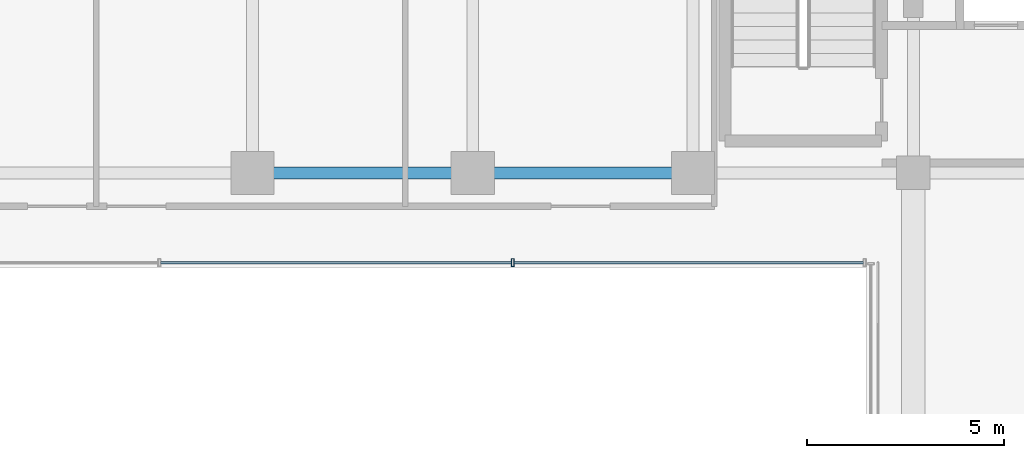
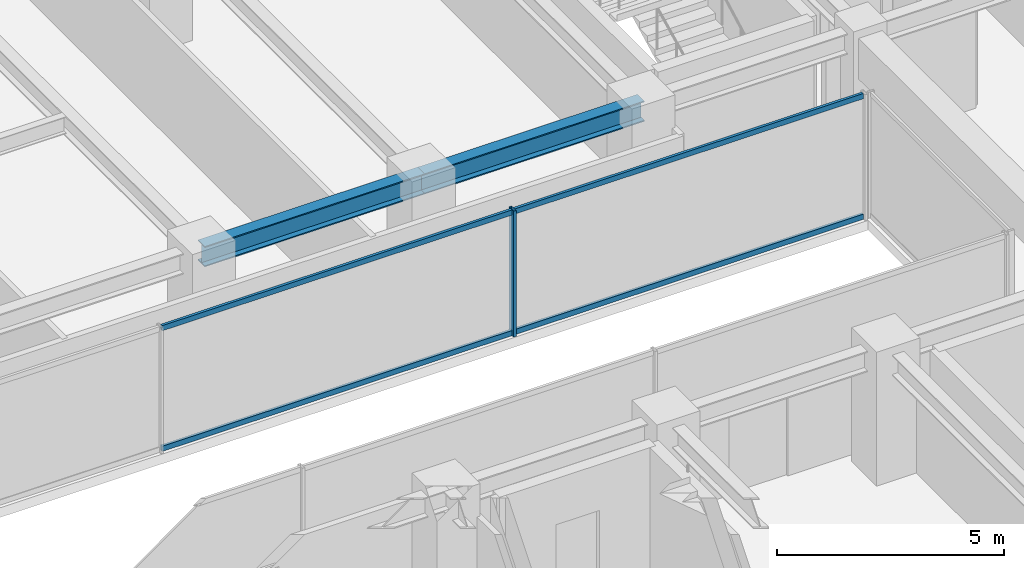
# One storey, part 12 of 41: 5 members, 2 beams, 1 element without a shape of its own.
"""IFC4 building model written with IfcOpenShell, lengths in metres."""

from ifc_helpers import new_model, si_unit, direction, frame, origin, origin_2d, place, context, subcontext, project, spatial, hollow_rectangle, i_section, extrude, source, transform, mapped, material, material_profile, profile_set, type_object, element, aggregate, save


model = new_model("IFC4")

# Units and contexts
model_context = context("Model", 3, precision=1e-05, world=origin(), true_north=direction((0.0, 1.0)))
body_context = subcontext(model_context, "Body", "Model", "MODEL_VIEW")
ifc_project = project(units=[si_unit("LENGTHUNIT", "METRE"), si_unit("AREAUNIT", "SQUARE_METRE"), si_unit("VOLUMEUNIT", "CUBIC_METRE"), si_unit("PLANEANGLEUNIT", "RADIAN"), si_unit("MASSUNIT", "GRAM", prefix="KILO")], contexts=[model_context])

# Site, building, storey
site_placement = place(None, origin())
site = spatial("IfcSite", under=ifc_project, at=site_placement, CompositionType="ELEMENT")
building_placement = place(site_placement, origin())
building = spatial("IfcBuilding", under=site, at=building_placement, Name="Nahalor Promenade Grand Hotel", CompositionType="ELEMENT")
storey_placement = place(building_placement, frame((0.0, 0.0, 159.949951171875)))
storey = spatial("IfcBuildingStorey", under=building, at=storey_placement, Name="L40", CompositionType="ELEMENT", Elevation=159.949951171875)

# Beams
ifc_material_1 = material(Name="Steel S355JR", Category="steel")
ifc_material_profile_1 = material_profile(ifc_material_1, i_section(OverallWidth=0.3, OverallDepth=0.55, WebThickness=0.015, FlangeThickness=0.029, at=origin_2d()), Name="HEB 550")
ifc_profile_set_1 = profile_set([ifc_material_profile_1], Name="Steel S355JR")
beam_type = type_object("IfcBeamType", Name="Beam-Girder-HEB550", PredefinedType="BEAM", material=ifc_profile_set_1)
shared_shape_1 = source(origin(), body_context, "Body", "SweptSolid", [
    extrude(i_section(OverallWidth=0.3, OverallDepth=0.55, WebThickness=0.015, FlangeThickness=0.029, at=origin_2d()), origin(), (0.0, 0.0, 1.0), 5.599853515625),
])
beam_1_placement = place(storey_placement, frame((-8.39990234375, 5.39990234375, 3.114990234375), z_axis=(1.0, 0.0, 0.0), x_axis=(0.0, 1.0, 0.0)))
element("IfcBeam", 1, at=beam_1_placement, inside=storey, type_object=beam_type, Name="BM-L40-GX-2-2", PredefinedType="BEAM", context=body_context, shape_type="MappedRepresentation", body=[
    mapped(shared_shape_1, transform((0.0, 0.0, 0.0), scale=1.0)),
])
shared_shape_2 = source(origin(), body_context, "Body", "SweptSolid", [
    extrude(i_section(OverallWidth=0.3, OverallDepth=0.55, WebThickness=0.015, FlangeThickness=0.029, at=origin_2d()), origin(), (0.0, 0.0, 1.0), 5.60009765625),
])
beam_2_placement = place(storey_placement, frame((-2.800048828125, 5.39990234375, 3.114990234375), z_axis=(1.0, 0.0, 0.0), x_axis=(0.0, 1.0, 0.0)))
element("IfcBeam", 2, at=beam_2_placement, inside=storey, type_object=beam_type, Name="BM-L40-GX-2-3", PredefinedType="BEAM", context=body_context, shape_type="MappedRepresentation", body=[
    mapped(shared_shape_2, transform((0.0, 0.0, 0.0), scale=1.0)),
])

# Curtain wall, members
ifc_material_2 = material(Name="Anodised Bronze Aluminium EN AW-6063 T6", Category="aluminium")
curtain_wall_type = type_object("IfcCurtainWallType", Name="CW3 Elliptical-Void Collar Unitised Curtain Wall", PredefinedType="USERDEFINED", material=ifc_material_2)
curtain_wall_placement = place(storey_placement, origin())
curtain_wall = element("IfcCurtainWall", 3, at=curtain_wall_placement, inside=storey, type_object=curtain_wall_type, Name="L40 Curtain Wall CW-L40-VOID-WN1", ObjectType="UNITISED_CURTAIN_WALL", PredefinedType="USERDEFINED")
ifc_material_profile_2 = material_profile(ifc_material_2, hollow_rectangle(XDim=0.07, YDim=0.2, WallThickness=0.005, at=origin_2d()), Name="CWM 70x200x5")
ifc_profile_set_2 = profile_set([ifc_material_profile_2], Name="Anodised Bronze Aluminium EN AW-6063 T6")
member_type_1 = type_object("IfcMemberType", Name="CWM3 Void Collar Mullion 70x200", PredefinedType="MULLION", material=ifc_profile_set_2)
shared_shape_3 = source(origin(), body_context, "Body", "SweptSolid", [
    extrude(hollow_rectangle(XDim=0.07, YDim=0.2, WallThickness=0.005, at=origin_2d()), origin(), (0.0, 0.0, 1.0), 3.39013671875),
])
member_1_placement = place(storey_placement, frame((-1.78662109375, 3.118896484375, 0.0), z_axis=(0.0, 0.0, 1.0), x_axis=(1.0, 0.0, 0.0)))
member_1 = element("IfcMember", 4, at=member_1_placement, type_object=member_type_1, Name="CW-L40-VOID-WN1 Mullion 2", PredefinedType="MULLION", context=body_context, shape_type="MappedRepresentation", body=[
    mapped(shared_shape_3, transform((0.0, 0.0, 0.0), scale=1.0)),
])
ifc_material_profile_3 = material_profile(ifc_material_2, hollow_rectangle(XDim=0.07, YDim=0.14, WallThickness=0.004, at=origin_2d()), Name="CWT 70x140x4")
ifc_profile_set_3 = profile_set([ifc_material_profile_3], Name="Anodised Bronze Aluminium EN AW-6063 T6")
member_type_2 = type_object("IfcMemberType", Name="CWT3 Void Collar Transom 70x140", PredefinedType="USERDEFINED", material=ifc_profile_set_3)
shared_shape_4 = source(origin(), body_context, "Body", "SweptSolid", [
    extrude(hollow_rectangle(XDim=0.07, YDim=0.14, WallThickness=0.004, at=origin_2d()), origin(), (0.0, 0.0, 1.0), 8.881591796875),
])
member_2_placement = place(storey_placement, frame((-1.751708984375, 3.118896484375, 0.070068359375), z_axis=(1.0, 0.0, 0.0), x_axis=(0.0, 1.0, 0.0)))
member_2 = element("IfcMember", 5, at=member_2_placement, type_object=member_type_2, Name="CW-L40-VOID-WN1 Transom 2-0", ObjectType="TRANSOM", PredefinedType="USERDEFINED", context=body_context, shape_type="MappedRepresentation", body=[
    mapped(shared_shape_4, transform((0.0, 0.0, 0.0), scale=1.0)),
])
member_3_placement = place(storey_placement, frame((-1.751708984375, 3.118896484375, 3.320068359375), z_axis=(1.0, 0.0, 0.0), x_axis=(0.0, 1.0, 0.0)))
member_3 = element("IfcMember", 6, at=member_3_placement, type_object=member_type_2, Name="CW-L40-VOID-WN1 Transom 2-1", ObjectType="TRANSOM", PredefinedType="USERDEFINED", context=body_context, shape_type="MappedRepresentation", body=[
    mapped(shared_shape_4, transform((0.0, 0.0, 0.0), scale=1.0)),
])
shared_shape_5 = source(origin(), body_context, "Body", "SweptSolid", [
    extrude(hollow_rectangle(XDim=0.07, YDim=0.14, WallThickness=0.004, at=origin_2d()), origin(), (0.0, 0.0, 1.0), 8.91650390625),
])
member_4_placement = place(storey_placement, frame((-10.73828125, 3.118896484375, 0.070068359375), z_axis=(1.0, 0.0, 0.0), x_axis=(0.0, 1.0, 0.0)))
member_4 = element("IfcMember", 7, at=member_4_placement, type_object=member_type_2, Name="CW-L40-VOID-WN1 Transom 1-0", ObjectType="TRANSOM", PredefinedType="USERDEFINED", context=body_context, shape_type="MappedRepresentation", body=[
    mapped(shared_shape_5, transform((0.0, 0.0, 0.0), scale=1.0)),
])
member_5_placement = place(storey_placement, frame((-10.73828125, 3.118896484375, 3.320068359375), z_axis=(1.0, 0.0, 0.0), x_axis=(0.0, 1.0, 0.0)))
member_5 = element("IfcMember", 8, at=member_5_placement, type_object=member_type_2, Name="CW-L40-VOID-WN1 Transom 1-1", ObjectType="TRANSOM", PredefinedType="USERDEFINED", context=body_context, shape_type="MappedRepresentation", body=[
    mapped(shared_shape_5, transform((0.0, 0.0, 0.0), scale=1.0)),
])
aggregate(curtain_wall, [member_1, member_4, member_5, member_2, member_3])

save(model, "model.ifc")
